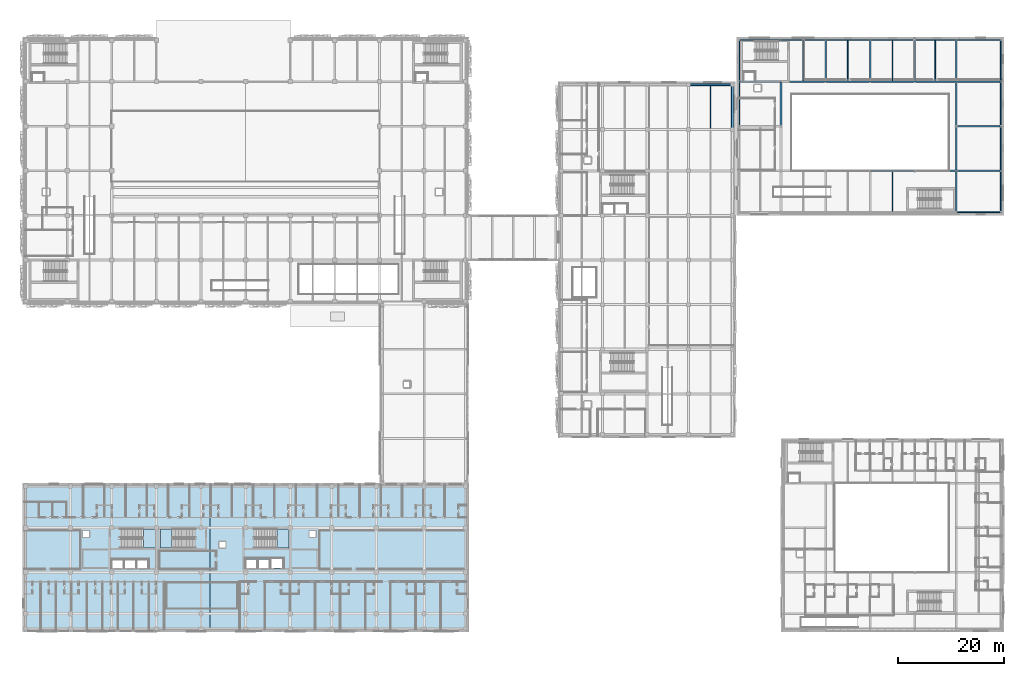
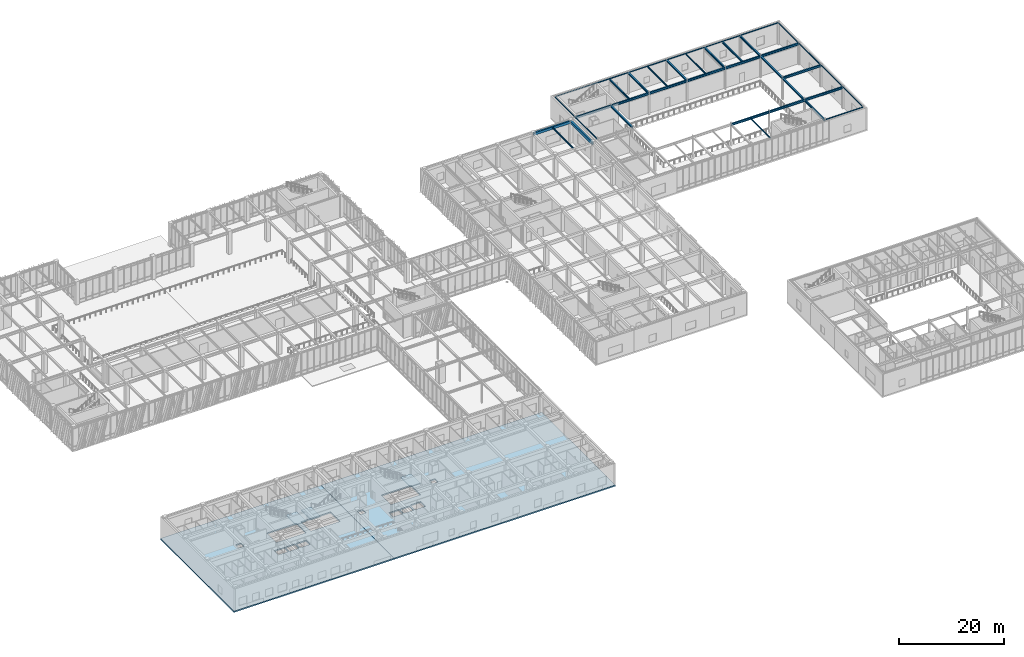
# One storey, part 86 of 139: 39 beams, 5 slabs, 3 elements without a shape of their own.
"""IFC4 building model written with IfcOpenShell, lengths in metres."""

from ifc_helpers import new_model, si_unit, direction, frame, origin, origin_2d, place, context, subcontext, project, spatial, polyline, rectangle, hollow_rectangle, i_section, outline, extrude, material, layer, layer_set, material_profile, profile_set, type_object, element, aggregate, save


model = new_model("IFC4")

# Units and contexts
model_context = context("Model", 3, precision=1e-05, world=origin(), true_north=direction((0.0, 1.0)))
body_context = subcontext(model_context, "Body", "Model", "MODEL_VIEW")
ifc_project = project(units=[si_unit("LENGTHUNIT", "METRE"), si_unit("AREAUNIT", "SQUARE_METRE"), si_unit("VOLUMEUNIT", "CUBIC_METRE"), si_unit("PLANEANGLEUNIT", "RADIAN"), si_unit("MASSUNIT", "GRAM", prefix="KILO")], contexts=[model_context])

# Site, building, storey
site_placement = place(None, origin())
site = spatial("IfcSite", under=ifc_project, at=site_placement, CompositionType="ELEMENT")
building_placement = place(site_placement, origin())
building = spatial("IfcBuilding", under=site, at=building_placement, Name="Zayran Congress Hotel", CompositionType="ELEMENT")
storey_placement = place(building_placement, frame((0.0, 0.0, 5.39990234375)))
storey = spatial("IfcBuildingStorey", under=building, at=storey_placement, Name="L01", CompositionType="ELEMENT", Elevation=5.39990234375)

# Beams
ifc_material_1 = material(Name="Concrete C40/50", Category="concrete")
ifc_material_profile_1 = material_profile(ifc_material_1, rectangle(XDim=0.35009765625, YDim=0.60009765625, at=origin_2d()), Name="RC 350x600")
ifc_profile_set_1 = profile_set([ifc_material_profile_1], Name="Concrete C40/50")
beam_type_1 = type_object("IfcBeamType", Name="TP-SP-01", PredefinedType="SPANDREL", material=ifc_profile_set_1)
beam_1_placement = place(storey_placement, frame((133.800048828125, 109.0, 4.800048828125), z_axis=(1.0, 0.0, 0.0), x_axis=(0.0, 1.0, 0.0)))
element("IfcBeam", 1, at=beam_1_placement, inside=storey, type_object=beam_type_1, Name="BM-V4-L01-1343", PredefinedType="SPANDREL", context=body_context, shape_type="SweptSolid", body=[
    extrude(rectangle(XDim=0.35009765625, YDim=0.60009765625, at=origin_2d()), origin(), (0.0, 0.0, 1.0), 8.25),
])
beam_2_placement = place(storey_placement, frame((142.050048828125, 100.60009765625, 4.800048828125), z_axis=(0.0, 1.0, 0.0), x_axis=(-1.0, 0.0, 0.0)))
element("IfcBeam", 2, at=beam_2_placement, inside=storey, type_object=beam_type_1, Name="BM-V4-L01-1381", PredefinedType="SPANDREL", context=body_context, shape_type="SweptSolid", body=[
    extrude(rectangle(XDim=0.35009765625, YDim=0.60009765625, at=origin_2d()), origin(), (0.0, 0.0, 1.0), 8.39990234375),
])
ifc_material_2 = material(Name="Steel S355", Category="steel")
ifc_material_profile_2 = material_profile(ifc_material_2, i_section(OverallWidth=0.300048828125, OverallDepth=0.489990234375, WebThickness=0.011962890625, FlangeThickness=0.02294921875, at=origin_2d()), Name="HEA 500")
ifc_profile_set_2 = profile_set([ifc_material_profile_2], Name="Steel S355")
beam_type_2 = type_object("IfcBeamType", Name="TP-BM-05", PredefinedType="BEAM", material=ifc_profile_set_2)
beam_3_placement = place(storey_placement, frame((168.0, 92.800048828125, 4.835205078125), z_axis=(1.0, 0.0, 0.0), x_axis=(0.0, 1.0, 0.0)))
element("IfcBeam", 3, at=beam_3_placement, inside=storey, type_object=beam_type_2, Name="BM-V2-L01-0962", PredefinedType="BEAM", context=body_context, shape_type="SweptSolid", body=[
    extrude(i_section(OverallWidth=0.300048828125, OverallDepth=0.489990234375, WebThickness=0.011962890625, FlangeThickness=0.02294921875, at=origin_2d()), origin(), (0.0, 0.0, 1.0), 8.39990234375),
])
beam_4_placement = place(storey_placement, frame((176.39990234375, 92.800048828125, 4.835205078125), z_axis=(1.0, 0.0, 0.0), x_axis=(0.0, 1.0, 0.0)))
element("IfcBeam", 4, at=beam_4_placement, inside=storey, type_object=beam_type_2, Name="BM-V2-L01-0963", PredefinedType="BEAM", context=body_context, shape_type="SweptSolid", body=[
    extrude(i_section(OverallWidth=0.300048828125, OverallDepth=0.489990234375, WebThickness=0.011962890625, FlangeThickness=0.02294921875, at=origin_2d()), origin(), (0.0, 0.0, 1.0), 7.800048828125),
])
for number, where, z_axis, x_axis, name in (
    (5, (184.199951171875, 92.800048828125, 4.875), (1.0, 0.0, 0.0), (0.0, 1.0, 0.0), "BM-V2-L01-0964"),
    (6, (184.199951171875, 101.199951171875, 4.875), (1.0, 0.0, 0.0), (0.0, 1.0, 0.0), "BM-V2-L01-0966"),
):
    element("IfcBeam", number, at=place(storey_placement, frame(where, z_axis=z_axis, x_axis=x_axis)), inside=storey, type_object=beam_type_2, Name=name, PredefinedType="BEAM", context=body_context, shape_type="SweptSolid", body=[
        extrude(i_section(OverallWidth=0.300048828125, OverallDepth=0.489990234375, WebThickness=0.011962890625, FlangeThickness=0.02294921875, at=origin_2d()), origin(), (0.0, 0.0, 1.0), 8.400146484375),
    ])
beam_5_placement = place(storey_placement, frame((143.39990234375, 109.60009765625, 4.835205078125), z_axis=(1.0, 0.0, 0.0), x_axis=(0.0, 1.0, 0.0)))
element("IfcBeam", 7, at=beam_5_placement, inside=storey, type_object=beam_type_2, Name="BM-V2-L01-0967", PredefinedType="BEAM", context=body_context, shape_type="SweptSolid", body=[
    extrude(i_section(OverallWidth=0.300048828125, OverallDepth=0.489990234375, WebThickness=0.011962890625, FlangeThickness=0.02294921875, at=origin_2d()), origin(), (0.0, 0.0, 1.0), 7.800048828125),
])
beam_6_placement = place(storey_placement, frame((151.199951171875, 109.60009765625, 4.835205078125), z_axis=(1.0, 0.0, 0.0), x_axis=(0.0, 1.0, 0.0)))
element("IfcBeam", 8, at=beam_6_placement, inside=storey, type_object=beam_type_2, Name="BM-V2-L01-0968", PredefinedType="BEAM", context=body_context, shape_type="SweptSolid", body=[
    extrude(i_section(OverallWidth=0.300048828125, OverallDepth=0.489990234375, WebThickness=0.011962890625, FlangeThickness=0.02294921875, at=origin_2d()), origin(), (0.0, 0.0, 1.0), 8.400146484375),
])
for number, where, z_axis, x_axis, name in (
    (9, (159.60009765625, 109.60009765625, 4.835205078125), (1.0, 0.0, 0.0), (0.0, 1.0, 0.0), "BM-V2-L01-0969"),
    (10, (168.0, 109.60009765625, 4.835205078125), (1.0, 0.0, 0.0), (0.0, 1.0, 0.0), "BM-V2-L01-0970"),
):
    element("IfcBeam", number, at=place(storey_placement, frame(where, z_axis=z_axis, x_axis=x_axis)), inside=storey, type_object=beam_type_2, Name=name, PredefinedType="BEAM", context=body_context, shape_type="SweptSolid", body=[
        extrude(i_section(OverallWidth=0.300048828125, OverallDepth=0.489990234375, WebThickness=0.011962890625, FlangeThickness=0.02294921875, at=origin_2d()), origin(), (0.0, 0.0, 1.0), 8.39990234375),
    ])
beam_7_placement = place(storey_placement, frame((176.39990234375, 109.60009765625, 4.835205078125), z_axis=(1.0, 0.0, 0.0), x_axis=(0.0, 1.0, 0.0)))
element("IfcBeam", 11, at=beam_7_placement, inside=storey, type_object=beam_type_2, Name="BM-V2-L01-0971", PredefinedType="BEAM", context=body_context, shape_type="SweptSolid", body=[
    extrude(i_section(OverallWidth=0.300048828125, OverallDepth=0.489990234375, WebThickness=0.011962890625, FlangeThickness=0.02294921875, at=origin_2d()), origin(), (0.0, 0.0, 1.0), 7.800048828125),
])
beam_8_placement = place(storey_placement, frame((184.199951171875, 109.60009765625, 4.875), z_axis=(1.0, 0.0, 0.0), x_axis=(0.0, 1.0, 0.0)))
element("IfcBeam", 12, at=beam_8_placement, inside=storey, type_object=beam_type_2, Name="BM-V2-L01-0972", PredefinedType="BEAM", context=body_context, shape_type="SweptSolid", body=[
    extrude(i_section(OverallWidth=0.300048828125, OverallDepth=0.489990234375, WebThickness=0.011962890625, FlangeThickness=0.02294921875, at=origin_2d()), origin(), (0.0, 0.0, 1.0), 8.400146484375),
])
ifc_material_profile_3 = material_profile(ifc_material_2, i_section(OverallWidth=0.300048828125, OverallDepth=0.389892578125, WebThickness=0.010986328125, FlangeThickness=0.01904296875, at=origin_2d()), Name="HEA 400")
ifc_profile_set_3 = profile_set([ifc_material_profile_3], Name="Steel S355")
beam_type_3 = type_object("IfcBeamType", Name="TP-BM-06", PredefinedType="BEAM", material=ifc_profile_set_3)
beam_9_placement = place(storey_placement, frame((151.199951171875, 101.199951171875, 4.885009765625), z_axis=(0.0, 1.0, 0.0), x_axis=(-1.0, 0.0, 0.0)))
element("IfcBeam", 13, at=beam_9_placement, inside=storey, type_object=beam_type_3, Name="BM-V2-L01-0985", PredefinedType="BEAM", context=body_context, shape_type="SweptSolid", body=[
    extrude(i_section(OverallWidth=0.300048828125, OverallDepth=0.389892578125, WebThickness=0.010986328125, FlangeThickness=0.01904296875, at=origin_2d()), origin(), (0.0, 0.0, 1.0), 8.400146484375),
])
for number, where, z_axis, x_axis, name in (
    (14, (159.60009765625, 109.60009765625, 4.885009765625), (0.0, 1.0, 0.0), (-1.0, 0.0, 0.0), "BM-V2-L01-0987"),
    (15, (168.0, 109.60009765625, 4.885009765625), (0.0, 1.0, 0.0), (-1.0, 0.0, 0.0), "BM-V2-L01-0989"),
    (16, (176.39990234375, 109.60009765625, 4.885009765625), (0.0, 1.0, 0.0), (-1.0, 0.0, 0.0), "BM-V2-L01-0990"),
):
    element("IfcBeam", number, at=place(storey_placement, frame(where, z_axis=z_axis, x_axis=x_axis)), inside=storey, type_object=beam_type_3, Name=name, PredefinedType="BEAM", context=body_context, shape_type="SweptSolid", body=[
        extrude(i_section(OverallWidth=0.300048828125, OverallDepth=0.389892578125, WebThickness=0.010986328125, FlangeThickness=0.01904296875, at=origin_2d()), origin(), (0.0, 0.0, 1.0), 7.7998046875),
    ])
beam_10_placement = place(storey_placement, frame((184.199951171875, 85.0, 4.885009765625), z_axis=(0.0, 1.0, 0.0), x_axis=(-1.0, 0.0, 0.0)))
element("IfcBeam", 17, at=beam_10_placement, inside=storey, type_object=beam_type_3, Name="BM-V2-L01-0991", PredefinedType="BEAM", context=body_context, shape_type="SweptSolid", body=[
    extrude(i_section(OverallWidth=0.300048828125, OverallDepth=0.389892578125, WebThickness=0.010986328125, FlangeThickness=0.01904296875, at=origin_2d()), origin(), (0.0, 0.0, 1.0), 7.800048828125),
])
beam_11_placement = place(storey_placement, frame((184.199951171875, 92.800048828125, 4.885009765625), z_axis=(0.0, 1.0, 0.0), x_axis=(-1.0, 0.0, 0.0)))
element("IfcBeam", 18, at=beam_11_placement, inside=storey, type_object=beam_type_3, Name="BM-V2-L01-0992", PredefinedType="BEAM", context=body_context, shape_type="SweptSolid", body=[
    extrude(i_section(OverallWidth=0.300048828125, OverallDepth=0.389892578125, WebThickness=0.010986328125, FlangeThickness=0.01904296875, at=origin_2d()), origin(), (0.0, 0.0, 1.0), 8.39990234375),
])
beam_12_placement = place(storey_placement, frame((184.199951171875, 101.199951171875, 4.885009765625), z_axis=(0.0, 1.0, 0.0), x_axis=(-1.0, 0.0, 0.0)))
element("IfcBeam", 19, at=beam_12_placement, inside=storey, type_object=beam_type_3, Name="BM-V2-L01-0993", PredefinedType="BEAM", context=body_context, shape_type="SweptSolid", body=[
    extrude(i_section(OverallWidth=0.300048828125, OverallDepth=0.389892578125, WebThickness=0.010986328125, FlangeThickness=0.01904296875, at=origin_2d()), origin(), (0.0, 0.0, 1.0), 8.400146484375),
])
beam_13_placement = place(storey_placement, frame((184.199951171875, 109.60009765625, 4.885009765625), z_axis=(0.0, 1.0, 0.0), x_axis=(-1.0, 0.0, 0.0)))
element("IfcBeam", 20, at=beam_13_placement, inside=storey, type_object=beam_type_3, Name="BM-V2-L01-0994", PredefinedType="BEAM", context=body_context, shape_type="SweptSolid", body=[
    extrude(i_section(OverallWidth=0.300048828125, OverallDepth=0.389892578125, WebThickness=0.010986328125, FlangeThickness=0.01904296875, at=origin_2d()), origin(), (0.0, 0.0, 1.0), 7.7998046875),
])
ifc_material_profile_4 = material_profile(ifc_material_2, i_section(OverallWidth=0.18994140625, OverallDepth=0.449951171875, WebThickness=0.009521484375, FlangeThickness=0.0146484375, at=origin_2d()), Name="IPE 450")
ifc_profile_set_4 = profile_set([ifc_material_profile_4], Name="Steel S355")
beam_type_4 = type_object("IfcBeamType", Name="TP-JS-02", PredefinedType="JOIST", material=ifc_profile_set_4)
beam_14_placement = place(storey_placement, frame((180.300048828125, 109.75, 4.85498046875), z_axis=(0.0, 1.0, 0.0), x_axis=(-1.0, 0.0, 0.0)))
element("IfcBeam", 21, at=beam_14_placement, inside=storey, type_object=beam_type_4, Name="JST-V2-L01-1008", PredefinedType="JOIST", context=body_context, shape_type="SweptSolid", body=[
    extrude(i_section(OverallWidth=0.18994140625, OverallDepth=0.449951171875, WebThickness=0.009521484375, FlangeThickness=0.0146484375, at=origin_2d()), origin(), (0.0, 0.0, 1.0), 7.590087890625),
])
ifc_material_profile_5 = material_profile(ifc_material_2, i_section(OverallWidth=0.179931640625, OverallDepth=0.39990234375, WebThickness=0.008544921875, FlangeThickness=0.013427734375, at=origin_2d()), Name="IPE 400")
ifc_profile_set_5 = profile_set([ifc_material_profile_5], Name="Steel S355")
beam_type_5 = type_object("IfcBeamType", Name="TP-JS-03", PredefinedType="JOIST", material=ifc_profile_set_5)
beam_15_placement = place(storey_placement, frame((155.39990234375, 109.75, 4.880126953125), z_axis=(0.0, 1.0, 0.0), x_axis=(-1.0, 0.0, 0.0)))
element("IfcBeam", 22, at=beam_15_placement, inside=storey, type_object=beam_type_5, Name="JST-V2-L01-1003", PredefinedType="JOIST", context=body_context, shape_type="SweptSolid", body=[
    extrude(i_section(OverallWidth=0.179931640625, OverallDepth=0.39990234375, WebThickness=0.008544921875, FlangeThickness=0.013427734375, at=origin_2d()), origin(), (0.0, 0.0, 1.0), 7.590087890625),
])
ifc_material_profile_6 = material_profile(ifc_material_2, i_section(OverallWidth=0.169921875, OverallDepth=0.360107421875, WebThickness=0.008056640625, FlangeThickness=0.0126953125, at=origin_2d()), Name="IPE 360")
ifc_profile_set_6 = profile_set([ifc_material_profile_6], Name="Steel S355")
beam_type_6 = type_object("IfcBeamType", Name="TP-JS-04", PredefinedType="JOIST", material=ifc_profile_set_6)
beam_16_placement = place(storey_placement, frame((163.800048828125, 109.75, 4.900146484375), z_axis=(0.0, 1.0, 0.0), x_axis=(-1.0, 0.0, 0.0)))
element("IfcBeam", 23, at=beam_16_placement, inside=storey, type_object=beam_type_6, Name="JST-V2-L01-1005", PredefinedType="JOIST", context=body_context, shape_type="SweptSolid", body=[
    extrude(i_section(OverallWidth=0.169921875, OverallDepth=0.360107421875, WebThickness=0.008056640625, FlangeThickness=0.0126953125, at=origin_2d()), origin(), (0.0, 0.0, 1.0), 7.590087890625),
])
ifc_material_profile_7 = material_profile(ifc_material_2, i_section(OverallWidth=0.14990234375, OverallDepth=0.300048828125, WebThickness=0.007080078125, FlangeThickness=0.0107421875, at=origin_2d()), Name="IPE 300")
ifc_profile_set_7 = profile_set([ifc_material_profile_7], Name="Steel S355")
beam_type_7 = type_object("IfcBeamType", Name="TP-JS-05", PredefinedType="JOIST", material=ifc_profile_set_7)
beam_17_placement = place(storey_placement, frame((172.199951171875, 85.06005859375, 4.93017578125), z_axis=(0.0, 1.0, 0.0), x_axis=(-1.0, 0.0, 0.0)))
element("IfcBeam", 24, at=beam_17_placement, inside=storey, type_object=beam_type_7, Name="JST-V2-L01-1006", PredefinedType="JOIST", context=body_context, shape_type="SweptSolid", body=[
    extrude(i_section(OverallWidth=0.14990234375, OverallDepth=0.300048828125, WebThickness=0.007080078125, FlangeThickness=0.0107421875, at=origin_2d()), origin(), (0.0, 0.0, 1.0), 7.58984375),
])
beam_18_placement = place(storey_placement, frame((172.199951171875, 109.75, 4.93017578125), z_axis=(0.0, 1.0, 0.0), x_axis=(-1.0, 0.0, 0.0)))
element("IfcBeam", 25, at=beam_18_placement, inside=storey, type_object=beam_type_7, Name="JST-V2-L01-1007", PredefinedType="JOIST", context=body_context, shape_type="SweptSolid", body=[
    extrude(i_section(OverallWidth=0.14990234375, OverallDepth=0.300048828125, WebThickness=0.007080078125, FlangeThickness=0.0107421875, at=origin_2d()), origin(), (0.0, 0.0, 1.0), 7.590087890625),
])
beam_19_placement = place(storey_placement, frame((137.925048828125, 100.800048828125, 4.9501953125), z_axis=(0.0, 1.0, 0.0), x_axis=(-1.0, 0.0, 0.0)))
element("IfcBeam", 26, at=beam_19_placement, inside=storey, type_object=beam_type_7, Name="JST-V4-L01-1411", PredefinedType="JOIST", context=body_context, shape_type="SweptSolid", body=[
    extrude(i_section(OverallWidth=0.14990234375, OverallDepth=0.300048828125, WebThickness=0.007080078125, FlangeThickness=0.0107421875, at=origin_2d()), origin(), (0.0, 0.0, 1.0), 8.02490234375),
])
ifc_material_profile_8 = material_profile(ifc_material_2, hollow_rectangle(XDim=0.1201171875, YDim=0.199951171875, WallThickness=0.008056640625, at=origin_2d()), Name="RHS 200x120x8")
ifc_profile_set_8 = profile_set([ifc_material_profile_8], Name="Steel S355")
beam_type_8 = type_object("IfcBeamType", Name="TP-SP-02", PredefinedType="SPANDREL", material=ifc_profile_set_8)
beam_20_placement = place(storey_placement, frame((184.199951171875, 85.0, 5.02001953125), z_axis=(1.0, 0.0, 0.0), x_axis=(0.0, 1.0, 0.0)))
element("IfcBeam", 27, at=beam_20_placement, inside=storey, type_object=beam_type_8, Name="BM-V2-L01-0958", PredefinedType="SPANDREL", context=body_context, shape_type="SweptSolid", body=[
    extrude(hollow_rectangle(XDim=0.1201171875, YDim=0.199951171875, WallThickness=0.008056640625, at=origin_2d()), origin(), (0.0, 0.0, 1.0), 8.400146484375),
])
beam_21_placement = place(storey_placement, frame((143.39990234375, 117.39990234375, 4.97998046875), z_axis=(1.0, 0.0, 0.0), x_axis=(0.0, 1.0, 0.0)))
element("IfcBeam", 28, at=beam_21_placement, inside=storey, type_object=beam_type_8, Name="BM-V2-L01-0973", PredefinedType="SPANDREL", context=body_context, shape_type="SweptSolid", body=[
    extrude(hollow_rectangle(XDim=0.1201171875, YDim=0.199951171875, WallThickness=0.008056640625, at=origin_2d()), origin(), (0.0, 0.0, 1.0), 7.800048828125),
])
beam_22_placement = place(storey_placement, frame((151.199951171875, 117.39990234375, 4.97998046875), z_axis=(1.0, 0.0, 0.0), x_axis=(0.0, 1.0, 0.0)))
element("IfcBeam", 29, at=beam_22_placement, inside=storey, type_object=beam_type_8, Name="BM-V2-L01-0974", PredefinedType="SPANDREL", context=body_context, shape_type="SweptSolid", body=[
    extrude(hollow_rectangle(XDim=0.1201171875, YDim=0.199951171875, WallThickness=0.008056640625, at=origin_2d()), origin(), (0.0, 0.0, 1.0), 8.400146484375),
])
for number, where, z_axis, x_axis, name in (
    (30, (159.60009765625, 117.39990234375, 4.97998046875), (1.0, 0.0, 0.0), (0.0, 1.0, 0.0), "BM-V2-L01-0975"),
    (31, (168.0, 117.39990234375, 4.97998046875), (1.0, 0.0, 0.0), (0.0, 1.0, 0.0), "BM-V2-L01-0976"),
):
    element("IfcBeam", number, at=place(storey_placement, frame(where, z_axis=z_axis, x_axis=x_axis)), inside=storey, type_object=beam_type_8, Name=name, PredefinedType="SPANDREL", context=body_context, shape_type="SweptSolid", body=[
        extrude(hollow_rectangle(XDim=0.1201171875, YDim=0.199951171875, WallThickness=0.008056640625, at=origin_2d()), origin(), (0.0, 0.0, 1.0), 8.39990234375),
    ])
beam_23_placement = place(storey_placement, frame((176.39990234375, 117.39990234375, 4.97998046875), z_axis=(1.0, 0.0, 0.0), x_axis=(0.0, 1.0, 0.0)))
element("IfcBeam", 32, at=beam_23_placement, inside=storey, type_object=beam_type_8, Name="BM-V2-L01-0977", PredefinedType="SPANDREL", context=body_context, shape_type="SweptSolid", body=[
    extrude(hollow_rectangle(XDim=0.1201171875, YDim=0.199951171875, WallThickness=0.008056640625, at=origin_2d()), origin(), (0.0, 0.0, 1.0), 7.800048828125),
])
for number, where, z_axis, x_axis, name in (
    (33, (184.199951171875, 117.39990234375, 5.02001953125), (1.0, 0.0, 0.0), (0.0, 1.0, 0.0), "BM-V2-L01-0978"),
    (34, (143.39990234375, 101.199951171875, 4.97998046875), (0.0, 1.0, 0.0), (-1.0, 0.0, 0.0), "BM-V2-L01-0981"),
):
    element("IfcBeam", number, at=place(storey_placement, frame(where, z_axis=z_axis, x_axis=x_axis)), inside=storey, type_object=beam_type_8, Name=name, PredefinedType="SPANDREL", context=body_context, shape_type="SweptSolid", body=[
        extrude(hollow_rectangle(XDim=0.1201171875, YDim=0.199951171875, WallThickness=0.008056640625, at=origin_2d()), origin(), (0.0, 0.0, 1.0), 8.400146484375),
    ])
beam_24_placement = place(storey_placement, frame((143.39990234375, 109.60009765625, 4.97998046875), z_axis=(0.0, 1.0, 0.0), x_axis=(-1.0, 0.0, 0.0)))
element("IfcBeam", 35, at=beam_24_placement, inside=storey, type_object=beam_type_8, Name="BM-V2-L01-0982", PredefinedType="SPANDREL", context=body_context, shape_type="SweptSolid", body=[
    extrude(hollow_rectangle(XDim=0.1201171875, YDim=0.199951171875, WallThickness=0.008056640625, at=origin_2d()), origin(), (0.0, 0.0, 1.0), 7.7998046875),
])
beam_25_placement = place(storey_placement, frame((192.60009765625, 85.0, 5.02001953125), z_axis=(0.0, 1.0, 0.0), x_axis=(-1.0, 0.0, 0.0)))
element("IfcBeam", 36, at=beam_25_placement, inside=storey, type_object=beam_type_8, Name="BM-V2-L01-0995", PredefinedType="SPANDREL", context=body_context, shape_type="SweptSolid", body=[
    extrude(hollow_rectangle(XDim=0.1201171875, YDim=0.199951171875, WallThickness=0.008056640625, at=origin_2d()), origin(), (0.0, 0.0, 1.0), 7.800048828125),
])
beam_26_placement = place(storey_placement, frame((192.60009765625, 92.800048828125, 5.02001953125), z_axis=(0.0, 1.0, 0.0), x_axis=(-1.0, 0.0, 0.0)))
element("IfcBeam", 37, at=beam_26_placement, inside=storey, type_object=beam_type_8, Name="BM-V2-L01-0996", PredefinedType="SPANDREL", context=body_context, shape_type="SweptSolid", body=[
    extrude(hollow_rectangle(XDim=0.1201171875, YDim=0.199951171875, WallThickness=0.008056640625, at=origin_2d()), origin(), (0.0, 0.0, 1.0), 8.39990234375),
])
beam_27_placement = place(storey_placement, frame((192.60009765625, 101.199951171875, 5.02001953125), z_axis=(0.0, 1.0, 0.0), x_axis=(-1.0, 0.0, 0.0)))
element("IfcBeam", 38, at=beam_27_placement, inside=storey, type_object=beam_type_8, Name="BM-V2-L01-0997", PredefinedType="SPANDREL", context=body_context, shape_type="SweptSolid", body=[
    extrude(hollow_rectangle(XDim=0.1201171875, YDim=0.199951171875, WallThickness=0.008056640625, at=origin_2d()), origin(), (0.0, 0.0, 1.0), 8.400146484375),
])
beam_28_placement = place(storey_placement, frame((192.60009765625, 109.60009765625, 5.02001953125), z_axis=(0.0, 1.0, 0.0), x_axis=(-1.0, 0.0, 0.0)))
element("IfcBeam", 39, at=beam_28_placement, inside=storey, type_object=beam_type_8, Name="BM-V2-L01-0998", PredefinedType="SPANDREL", context=body_context, shape_type="SweptSolid", body=[
    extrude(hollow_rectangle(XDim=0.1201171875, YDim=0.199951171875, WallThickness=0.008056640625, at=origin_2d()), origin(), (0.0, 0.0, 1.0), 7.7998046875),
])

# Slabs
ifc_material_3 = material(Name="Concrete C32/40", Category="concrete")
ifc_layer_1 = layer(ifc_material_3, 0.300048828125)
ifc_layer_set_1 = layer_set([ifc_layer_1], Name="Concrete C32/40")
slab_type_1 = type_object("IfcSlabType", Name="SL-FL-300", PredefinedType="FLOOR", material=ifc_layer_set_1)
slab_1_placement = place(storey_placement, frame((0.0, 0.0, -0.2998046875)))
element("IfcSlab", 40, at=slab_1_placement, inside=storey, type_object=slab_type_1, Name="SLB-V5-L01-032", PredefinedType="FLOOR", context=body_context, shape_type="SweptSolid", body=[
    extrude(outline(polyline([(8.39990234375, 6.0), (43.699951171875, 6.0), (43.699951171875, 34.0), (8.39990234375, 34.0), (8.39990234375, 6.0)]), holes=[polyline([(26.840087890625, 21.760009765625), (33.39990234375, 21.760009765625), (33.39990234375, 25.39990234375), (26.840087890625, 25.39990234375), (26.840087890625, 21.760009765625)]), polyline([(25.199951171875, 18.0), (27.39990234375, 18.0), (27.39990234375, 19.60009765625), (25.199951171875, 19.60009765625), (25.199951171875, 18.0)]), polyline([(27.60009765625, 18.0), (29.699951171875, 18.0), (29.699951171875, 19.60009765625), (27.60009765625, 19.60009765625), (27.60009765625, 18.0)]), polyline([(30.0, 18.0), (32.10009765625, 18.0), (32.10009765625, 19.60009765625), (30.0, 19.60009765625), (30.0, 18.0)]), polyline([(34.39990234375, 21.760009765625), (40.860107421875, 21.760009765625), (40.860107421875, 25.39990234375), (34.39990234375, 25.39990234375), (34.39990234375, 21.760009765625)]), polyline([(19.739990234375, 23.800048828125), (20.9599609375, 23.800048828125), (20.9599609375, 24.97998046875), (19.739990234375, 24.97998046875), (19.739990234375, 23.800048828125)])]), origin(), (0.0, 0.0, 1.0), 0.2998046875),
])
slab_2_placement = place(storey_placement, frame((0.0, 0.0, -0.2998046875)))
element("IfcSlab", 41, at=slab_2_placement, inside=storey, type_object=slab_type_1, Name="SLB-V5-L01-033", PredefinedType="FLOOR", context=body_context, shape_type="SweptSolid", body=[
    extrude(outline(polyline([(43.699951171875, 6.0), (92.39990234375, 6.0), (92.39990234375, 34.0), (43.699951171875, 34.0), (43.699951171875, 6.0)]), holes=[polyline([(52.0400390625, 21.760009765625), (58.60009765625, 21.760009765625), (58.60009765625, 25.39990234375), (52.0400390625, 25.39990234375), (52.0400390625, 21.760009765625)]), polyline([(50.39990234375, 18.0), (52.60009765625, 18.0), (52.60009765625, 19.60009765625), (50.39990234375, 19.60009765625), (50.39990234375, 18.0)]), polyline([(52.800048828125, 18.0), (54.89990234375, 18.0), (54.89990234375, 19.60009765625), (52.800048828125, 19.60009765625), (52.800048828125, 18.0)]), polyline([(55.199951171875, 18.0), (57.5, 18.0), (57.5, 19.800048828125), (55.199951171875, 19.800048828125), (55.199951171875, 18.0)]), polyline([(45.39990234375, 21.800048828125), (46.6201171875, 21.800048828125), (46.6201171875, 22.97998046875), (45.39990234375, 22.97998046875), (45.39990234375, 21.800048828125)]), polyline([(62.39990234375, 23.800048828125), (63.6201171875, 23.800048828125), (63.6201171875, 24.97998046875), (62.39990234375, 24.97998046875), (62.39990234375, 23.800048828125)])]), origin(), (0.0, 0.0, 1.0), 0.2998046875),
])

# Stair, slab
stair_type = type_object("IfcStairType", Name="TP-STR-1700-54", PredefinedType="USERDEFINED", material=ifc_material_3)
stair_1_placement = place(storey_placement, origin())
stair_1 = element("IfcStair", 42, at=stair_1_placement, inside=storey, type_object=stair_type, Name="L01 ST-01", ObjectType="TWO_RETURN_STAIR", PredefinedType="USERDEFINED")
ifc_layer_2 = layer(ifc_material_3, 0.199951171875)
ifc_layer_set_2 = layer_set([ifc_layer_2], Name="Concrete C32/40")
slab_type_2 = type_object("IfcSlabType", Name="TP-LND-1700", PredefinedType="LANDING", material=ifc_layer_set_2)
slab_3_placement = place(storey_placement, frame((0.0, 0.0, 2.5)))
slab_3 = element("IfcSlab", 43, at=slab_3_placement, type_object=slab_type_2, Name="ST-01 landing 1", PredefinedType="LANDING", context=body_context, shape_type="SweptSolid", body=[
    extrude(outline(polyline([(31.125, 21.760009765625), (33.39990234375, 21.760009765625), (33.39990234375, 25.39990234375), (31.125, 25.39990234375), (31.125, 21.760009765625)])), origin(), (0.0, 0.0, 1.0), 0.2001953125),
])
aggregate(stair_1, [slab_3])

stair_2_placement = place(storey_placement, origin())
stair_2 = element("IfcStair", 44, at=stair_2_placement, inside=storey, type_object=stair_type, Name="L01 ST-02", ObjectType="TWO_RETURN_STAIR", PredefinedType="USERDEFINED")
slab_4_placement = place(storey_placement, frame((0.0, 0.0, 2.5)))
slab_4 = element("IfcSlab", 45, at=slab_4_placement, type_object=slab_type_2, Name="ST-02 landing 1", PredefinedType="LANDING", context=body_context, shape_type="SweptSolid", body=[
    extrude(outline(polyline([(56.324951171875, 21.760009765625), (58.60009765625, 21.760009765625), (58.60009765625, 25.39990234375), (56.324951171875, 25.39990234375), (56.324951171875, 21.760009765625)])), origin(), (0.0, 0.0, 1.0), 0.2001953125),
])
aggregate(stair_2, [slab_4])

stair_3_placement = place(storey_placement, origin())
stair_3 = element("IfcStair", 46, at=stair_3_placement, inside=storey, type_object=stair_type, Name="L01 ST-13", ObjectType="TWO_RETURN_STAIR", PredefinedType="USERDEFINED")
slab_5_placement = place(storey_placement, frame((0.0, 0.0, 2.5)))
slab_5 = element("IfcSlab", 47, at=slab_5_placement, type_object=slab_type_2, Name="ST-13 landing 1", PredefinedType="LANDING", context=body_context, shape_type="SweptSolid", body=[
    extrude(outline(polyline([(36.574951171875, 25.39990234375), (34.39990234375, 25.39990234375), (34.39990234375, 21.760009765625), (36.574951171875, 21.760009765625), (36.574951171875, 25.39990234375)])), origin(), (0.0, 0.0, 1.0), 0.2001953125),
])
aggregate(stair_3, [slab_5])

save(model, "model.ifc")
